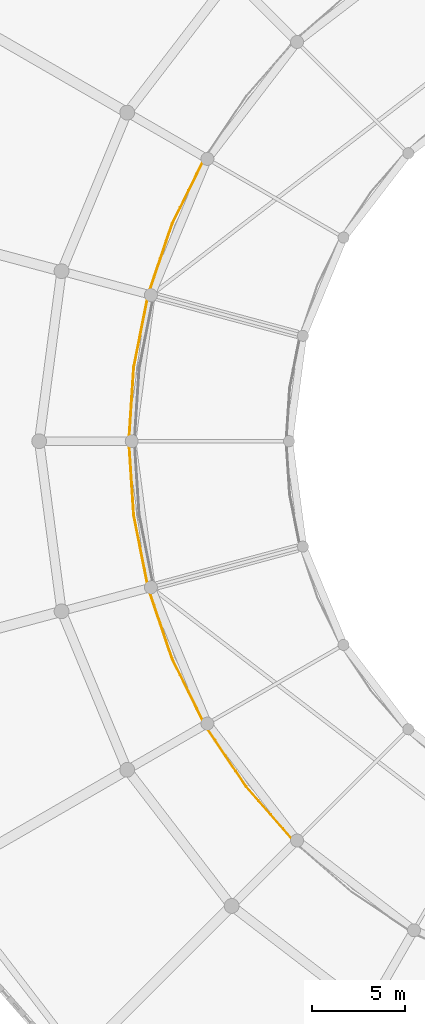
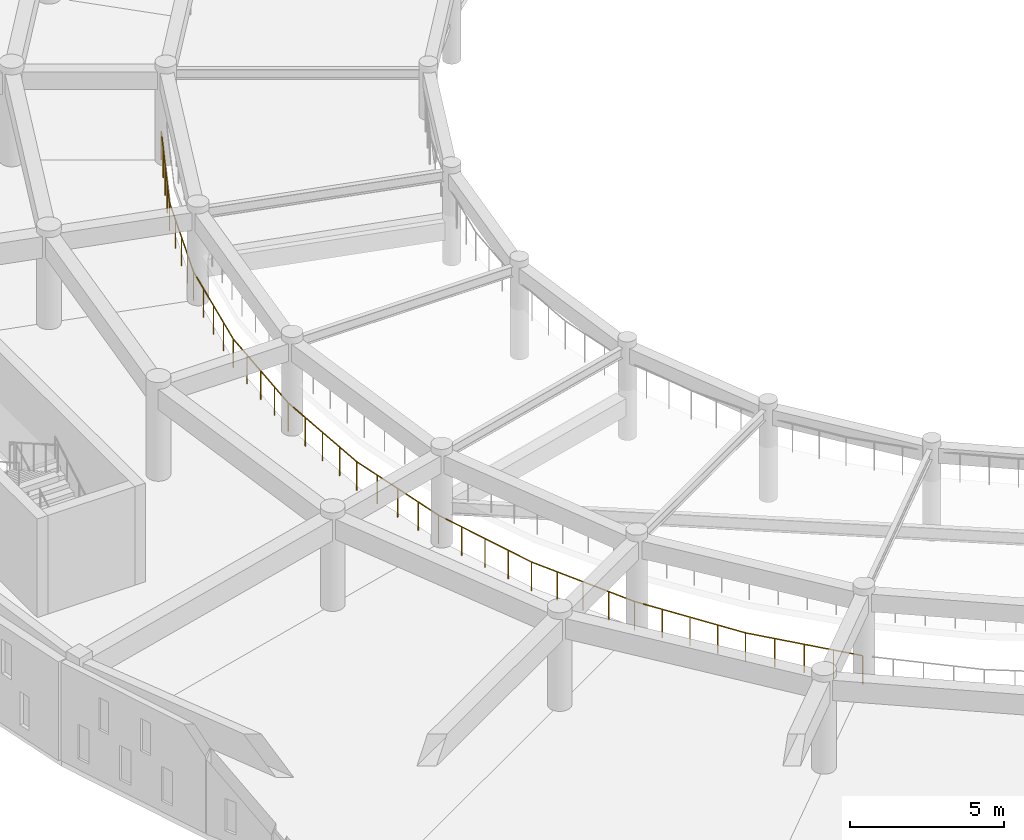
# One storey, part 79 of 98: 1 railing.
"""IFC4 building model written with IfcOpenShell, lengths in metres."""

from ifc_helpers import new_model, si_unit, direction, frame, origin, origin_2d, place, context, subcontext, project, spatial, circle, extrude, material, type_object, element, save


model = new_model("IFC4")

# Units and contexts
model_context = context("Model", 3, precision=1e-05, world=origin(), true_north=direction((0.0, 1.0)))
body_context = subcontext(model_context, "Body", "Model", "MODEL_VIEW")
ifc_project = project(units=[si_unit("LENGTHUNIT", "METRE"), si_unit("AREAUNIT", "SQUARE_METRE"), si_unit("VOLUMEUNIT", "CUBIC_METRE"), si_unit("PLANEANGLEUNIT", "RADIAN"), si_unit("MASSUNIT", "GRAM", prefix="KILO")], contexts=[model_context])

# Site, building, storey
site_placement = place(None, origin())
site = spatial("IfcSite", under=ifc_project, at=site_placement, CompositionType="ELEMENT")
building_placement = place(site_placement, origin())
building = spatial("IfcBuilding", under=site, at=building_placement, Name="Larkveld Mobility Hub", CompositionType="ELEMENT")
storey_placement = place(building_placement, frame((0.0, 0.0, 4.5)))
storey = spatial("IfcBuildingStorey", under=building, at=storey_placement, Name="L01", CompositionType="ELEMENT", Elevation=4.5)

# Railing
ifc_material = material(Name="Anodized aluminium 6063-T6 balustrade", Category="aluminium")
railing_type = type_object("IfcRailingType", Name="RL-GRD-1150", PredefinedType="GUARDRAIL", material=ifc_material)
railing_placement = place(storey_placement, frame((21.4560546875, 63.324951171875, 0.0)))
element("IfcRailing", 1, at=railing_placement, inside=storey, type_object=railing_type, Name="Drum Ramp Well Guardrail L01-039", PredefinedType="GUARDRAIL", context=body_context, shape_type="SweptSolid", body=[
    extrude(circle(Radius=0.02392578125, at=origin_2d()), frame((0.0, 0.0, 1.1259765625), z_axis=(-0.442213306217, -0.89690991287, 0.0), x_axis=(0.89690991287, -0.442213306217, 0.0)), (0.0, 0.0, 1.0), 4.00927734375),
    extrude(circle(Radius=0.02392578125, at=origin_2d()), frame((-1.77294921875, -3.595947265625, 1.1259765625), z_axis=(-0.321557700371, -0.946889985865, 0.0), x_axis=(0.946889985865, -0.321557700371, 0.0)), (0.0, 0.0, 1.0), 4.0087890625),
    extrude(circle(Radius=0.02392578125, at=origin_2d()), frame((-3.06201171875, -7.391845703125, 1.1259765625), z_axis=(-0.195050336869, -0.980793233096, 0.0), x_axis=(0.980793233096, -0.195050336869, 0.0)), (0.0, 0.0, 1.0), 4.009033203125),
    extrude(circle(Radius=0.02392578125, at=origin_2d()), frame((-3.843994140625, -11.323974609375, 1.1259765625), z_axis=(-0.065334844062, -0.997863396539, 0.0), x_axis=(0.997863396539, -0.065334844062, 0.0)), (0.0, 0.0, 1.0), 4.009521484375),
    extrude(circle(Radius=0.02392578125, at=origin_2d()), frame((-4.10595703125, -15.324951171875, 1.1259765625), z_axis=(0.065334844062, -0.997863396539, 0.0), x_axis=(0.997863396539, 0.065334844062, 0.0)), (0.0, 0.0, 1.0), 4.009521484375),
    extrude(circle(Radius=0.02392578125, at=origin_2d()), frame((-3.843994140625, -19.325927734375, 1.1259765625), z_axis=(0.195050336869, -0.980793233096, 0.0), x_axis=(0.980793233096, 0.195050336869, 0.0)), (0.0, 0.0, 1.0), 4.009033203125),
    extrude(circle(Radius=0.02392578125, at=origin_2d()), frame((-3.06201171875, -23.258056640625, 1.1259765625), z_axis=(0.321557700371, -0.946889985865, 0.0), x_axis=(0.946889985865, 0.321557700371, 0.0)), (0.0, 0.0, 1.0), 4.0087890625),
    extrude(circle(Radius=0.02392578125, at=origin_2d()), frame((-1.77294921875, -27.053955078125, 1.1259765625), z_axis=(0.442213306217, -0.89690991287, 0.0), x_axis=(0.89690991287, 0.442213306217, 0.0)), (0.0, 0.0, 1.0), 4.00927734375),
    extrude(circle(Radius=0.02392578125, at=origin_2d()), frame((0.0, -30.64990234375, 1.1259765625), z_axis=(0.555627161516, -0.831431571078, 0.0), x_axis=(0.831431571078, 0.555627161516, 0.0)), (0.0, 0.0, 1.0), 4.010009765625),
    extrude(circle(Radius=0.02392578125, at=origin_2d()), frame((2.22802734375, -33.98388671875, 1.1259765625), z_axis=(0.65927174728, -0.75190475676, 0.0), x_axis=(0.75190475676, 0.65927174728, 0.0)), (0.0, 0.0, 1.0), 4.0087890625),
    extrude(circle(Radius=0.02099609375, at=origin_2d()), origin(), (0.0, 0.0, 1.0), 1.101806640625),
    extrude(circle(Radius=0.02099609375, at=origin_2d()), frame((-0.443359375, -0.89892578125, 0.0)), (0.0, 0.0, 1.0), 1.101806640625),
    extrude(circle(Radius=0.02099609375, at=origin_2d()), frame((-0.886474609375, -1.7978515625, 0.0)), (0.0, 0.0, 1.0), 1.101806640625),
    extrude(circle(Radius=0.02099609375, at=origin_2d()), frame((-1.32958984375, -2.697021484375, 0.0)), (0.0, 0.0, 1.0), 1.101806640625),
    extrude(circle(Radius=0.02099609375, at=origin_2d()), frame((-1.77294921875, -3.595947265625, 0.0)), (0.0, 0.0, 1.0), 1.101806640625),
    extrude(circle(Radius=0.02099609375, at=origin_2d()), frame((-2.09521484375, -4.544921875, 0.0)), (0.0, 0.0, 1.0), 1.101806640625),
    extrude(circle(Radius=0.02099609375, at=origin_2d()), frame((-2.41748046875, -5.493896484375, 0.0)), (0.0, 0.0, 1.0), 1.101806640625),
    extrude(circle(Radius=0.02099609375, at=origin_2d()), frame((-2.73974609375, -6.44287109375, 0.0)), (0.0, 0.0, 1.0), 1.101806640625),
    extrude(circle(Radius=0.02099609375, at=origin_2d()), frame((-3.06201171875, -7.391845703125, 0.0)), (0.0, 0.0, 1.0), 1.101806640625),
    extrude(circle(Radius=0.02099609375, at=origin_2d()), frame((-3.257568359375, -8.375, 0.0)), (0.0, 0.0, 1.0), 1.101806640625),
    extrude(circle(Radius=0.02099609375, at=origin_2d()), frame((-3.453125, -9.35791015625, 0.0)), (0.0, 0.0, 1.0), 1.101806640625),
    extrude(circle(Radius=0.02099609375, at=origin_2d()), frame((-3.6484375, -10.3408203125, 0.0)), (0.0, 0.0, 1.0), 1.101806640625),
    extrude(circle(Radius=0.02099609375, at=origin_2d()), frame((-3.843994140625, -11.323974609375, 0.0)), (0.0, 0.0, 1.0), 1.101806640625),
    extrude(circle(Radius=0.02099609375, at=origin_2d()), frame((-3.909423828125, -12.32421875, 0.0)), (0.0, 0.0, 1.0), 1.101806640625),
    extrude(circle(Radius=0.02099609375, at=origin_2d()), frame((-3.97509765625, -13.324462890625, 0.0)), (0.0, 0.0, 1.0), 1.101806640625),
    extrude(circle(Radius=0.02099609375, at=origin_2d()), frame((-4.04052734375, -14.32470703125, 0.0)), (0.0, 0.0, 1.0), 1.101806640625),
    extrude(circle(Radius=0.02099609375, at=origin_2d()), frame((-4.10595703125, -15.324951171875, 0.0)), (0.0, 0.0, 1.0), 1.101806640625),
    extrude(circle(Radius=0.02099609375, at=origin_2d()), frame((-4.04052734375, -16.3251953125, 0.0)), (0.0, 0.0, 1.0), 1.101806640625),
    extrude(circle(Radius=0.02099609375, at=origin_2d()), frame((-3.97509765625, -17.325439453125, 0.0)), (0.0, 0.0, 1.0), 1.101806640625),
    extrude(circle(Radius=0.02099609375, at=origin_2d()), frame((-3.909423828125, -18.32568359375, 0.0)), (0.0, 0.0, 1.0), 1.101806640625),
    extrude(circle(Radius=0.02099609375, at=origin_2d()), frame((-3.843994140625, -19.325927734375, 0.0)), (0.0, 0.0, 1.0), 1.101806640625),
    extrude(circle(Radius=0.02099609375, at=origin_2d()), frame((-3.6484375, -20.30908203125, 0.0)), (0.0, 0.0, 1.0), 1.101806640625),
    extrude(circle(Radius=0.02099609375, at=origin_2d()), frame((-3.453125, -21.2919921875, 0.0)), (0.0, 0.0, 1.0), 1.101806640625),
    extrude(circle(Radius=0.02099609375, at=origin_2d()), frame((-3.257568359375, -22.27490234375, 0.0)), (0.0, 0.0, 1.0), 1.101806640625),
    extrude(circle(Radius=0.02099609375, at=origin_2d()), frame((-3.06201171875, -23.258056640625, 0.0)), (0.0, 0.0, 1.0), 1.101806640625),
    extrude(circle(Radius=0.02099609375, at=origin_2d()), frame((-2.73974609375, -24.20703125, 0.0)), (0.0, 0.0, 1.0), 1.101806640625),
    extrude(circle(Radius=0.02099609375, at=origin_2d()), frame((-2.41748046875, -25.156005859375, 0.0)), (0.0, 0.0, 1.0), 1.101806640625),
    extrude(circle(Radius=0.02099609375, at=origin_2d()), frame((-2.09521484375, -26.10498046875, 0.0)), (0.0, 0.0, 1.0), 1.101806640625),
    extrude(circle(Radius=0.02099609375, at=origin_2d()), frame((-1.77294921875, -27.053955078125, 0.0)), (0.0, 0.0, 1.0), 1.101806640625),
    extrude(circle(Radius=0.02099609375, at=origin_2d()), frame((-1.32958984375, -27.952880859375, 0.0)), (0.0, 0.0, 1.0), 1.101806640625),
    extrude(circle(Radius=0.02099609375, at=origin_2d()), frame((-0.886474609375, -28.85205078125, 0.0)), (0.0, 0.0, 1.0), 1.101806640625),
    extrude(circle(Radius=0.02099609375, at=origin_2d()), frame((-0.443359375, -29.7509765625, 0.0)), (0.0, 0.0, 1.0), 1.101806640625),
    extrude(circle(Radius=0.02099609375, at=origin_2d()), frame((0.0, -30.64990234375, 0.0)), (0.0, 0.0, 1.0), 1.101806640625),
    extrude(circle(Radius=0.02099609375, at=origin_2d()), frame((0.55712890625, -31.4833984375, 0.0)), (0.0, 0.0, 1.0), 1.101806640625),
    extrude(circle(Radius=0.02099609375, at=origin_2d()), frame((1.114013671875, -32.31689453125, 0.0)), (0.0, 0.0, 1.0), 1.101806640625),
    extrude(circle(Radius=0.02099609375, at=origin_2d()), frame((1.6708984375, -33.150390625, 0.0)), (0.0, 0.0, 1.0), 1.101806640625),
    extrude(circle(Radius=0.02099609375, at=origin_2d()), frame((2.22802734375, -33.98388671875, 0.0)), (0.0, 0.0, 1.0), 1.101806640625),
    extrude(circle(Radius=0.02099609375, at=origin_2d()), frame((2.888671875, -34.7373046875, 0.0)), (0.0, 0.0, 1.0), 1.101806640625),
    extrude(circle(Radius=0.02099609375, at=origin_2d()), frame((3.54931640625, -35.490966796875, 0.0)), (0.0, 0.0, 1.0), 1.101806640625),
    extrude(circle(Radius=0.02099609375, at=origin_2d()), frame((4.210205078125, -36.24462890625, 0.0)), (0.0, 0.0, 1.0), 1.101806640625),
    extrude(circle(Radius=0.02099609375, at=origin_2d()), frame((4.870849609375, -36.998046875, 0.0)), (0.0, 0.0, 1.0), 1.101806640625),
])

save(model, "model.ifc")
